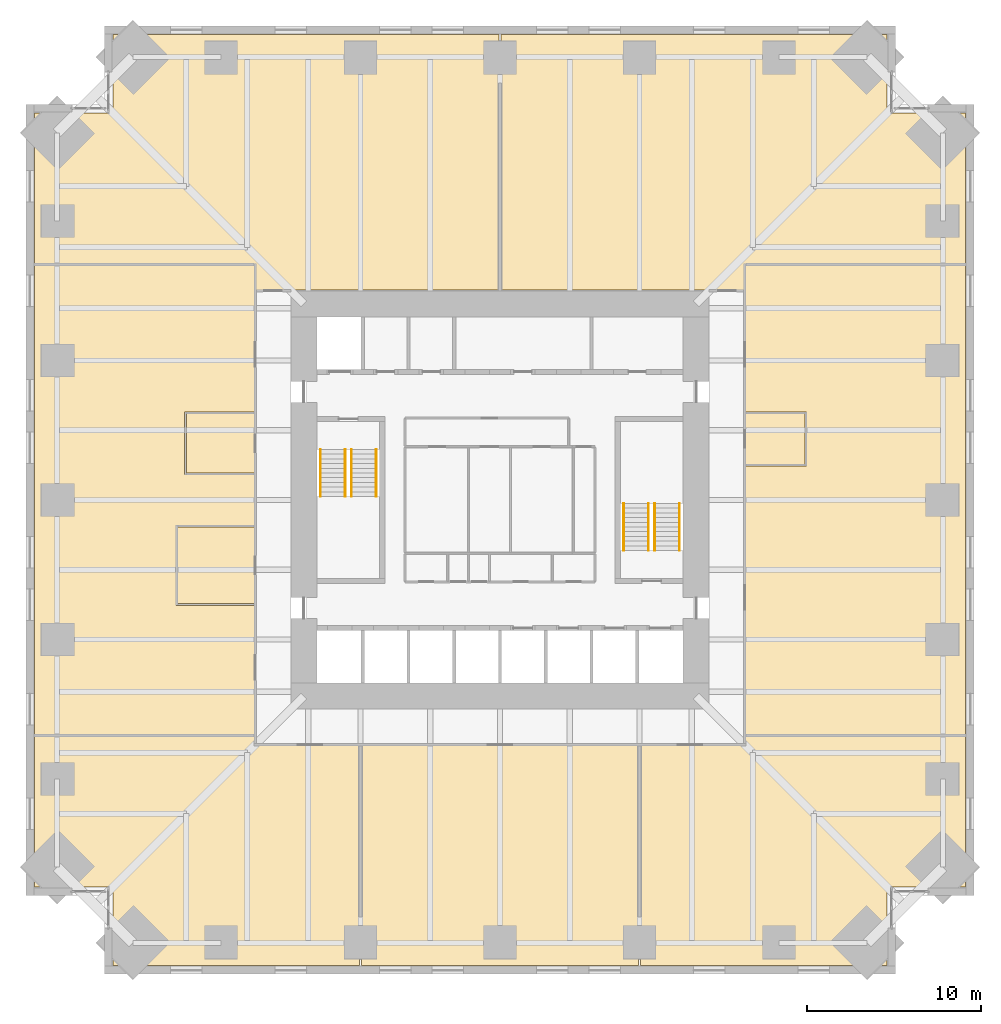
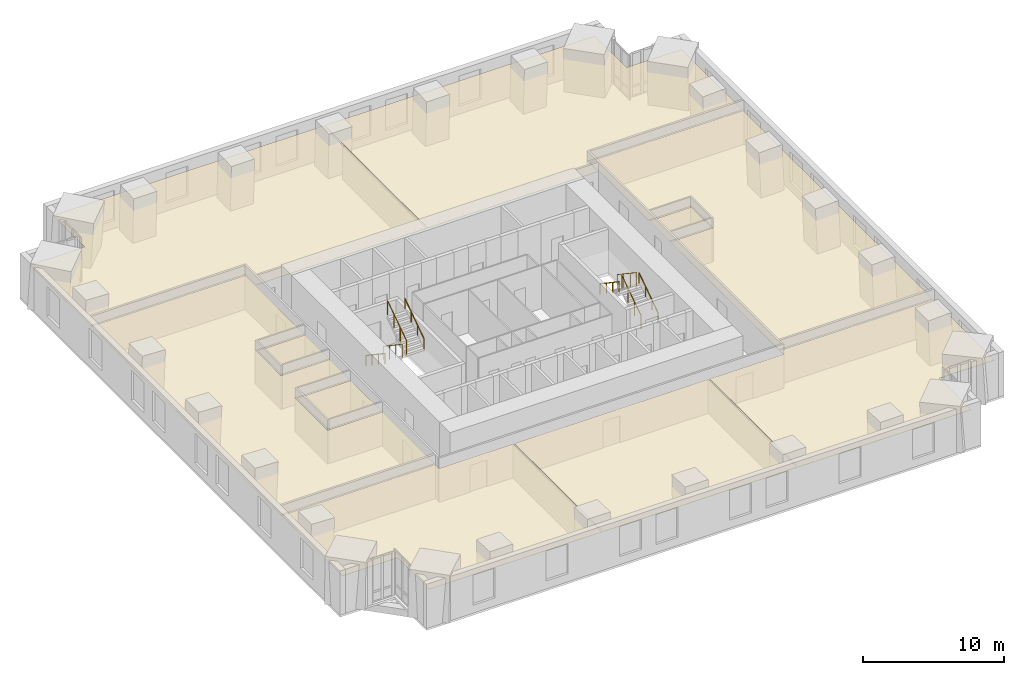
# One storey, part 16 of 16: 10 coverings, 8 railings.
"""IFC4 building model written with IfcOpenShell, lengths in metres."""

from ifc_helpers import new_model, si_unit, direction, frame, origin, origin_2d, place, context, subcontext, project, spatial, polyline, circle, outline, extrude, material, layer, layer_set, type_object, element, save


model = new_model("IFC4")

# Units and contexts
model_context = context("Model", 3, precision=1e-05, world=origin(), true_north=direction((0.0, 1.0)))
body_context = subcontext(model_context, "Body", "Model", "MODEL_VIEW")
ifc_project = project(units=[si_unit("LENGTHUNIT", "METRE"), si_unit("AREAUNIT", "SQUARE_METRE"), si_unit("VOLUMEUNIT", "CUBIC_METRE"), si_unit("PLANEANGLEUNIT", "RADIAN"), si_unit("MASSUNIT", "GRAM", prefix="KILO")], contexts=[model_context])

# Site, building, storey
site_placement = place(None, origin())
site = spatial("IfcSite", under=ifc_project, at=site_placement, CompositionType="ELEMENT")
building_placement = place(site_placement, origin())
building = spatial("IfcBuilding", under=site, at=building_placement, Name="Peilmerk Tower", CompositionType="ELEMENT")
storey_placement = place(building_placement, frame((0.0, 0.0, 135.800048828125)))
storey = spatial("IfcBuildingStorey", under=building, at=storey_placement, Name="L27", CompositionType="ELEMENT", Elevation=135.800048828125)

# Coverings
ifc_material_1 = material(Name="Mineral fibre ceiling tiles", Category="mineral")
ifc_layer = layer(ifc_material_1, 0.02490234375)
ifc_layer_set = layer_set([ifc_layer], Name="Mineral fibre ceiling tiles")
covering_type = type_object("IfcCoveringType", Name="CL1 25 suspended ceiling", PredefinedType="CEILING", material=ifc_layer_set)
covering_1_placement = place(storey_placement, frame((0.0, 0.0, 2.905029296875)))
element("IfcCovering", 1, at=covering_1_placement, inside=storey, type_object=covering_type, Name="Suspended ceiling Tenant suite", PredefinedType="CEILING", context=body_context, shape_type="SweptSolid", body=[
    extrude(outline(polyline([(-26.699951171875, 22.199951171875), (-26.699951171875, 13.550048828125), (-14.0, 13.550048828125), (-14.0, 12.050048828125), (-0.050048828125, 12.050048828125), (-0.050048828125, 26.699951171875), (-22.199951171875, 26.699951171875), (-22.199951171875, 22.199951171875), (-26.699951171875, 22.199951171875)])), origin(), (0.0, 0.0, 1.0), 0.02490234375),
])
covering_2_placement = place(storey_placement, frame((0.0, 0.0, 2.905029296875)))
element("IfcCovering", 2, at=covering_2_placement, inside=storey, type_object=covering_type, Name="Suspended ceiling Tenant suite", PredefinedType="CEILING", context=body_context, shape_type="SweptSolid", body=[
    extrude(outline(polyline([(22.199951171875, 26.699951171875), (0.050048828125, 26.699951171875), (0.050048828125, 12.050048828125), (14.0, 12.050048828125), (14.0, 13.550048828125), (26.699951171875, 13.550048828125), (26.699951171875, 22.199951171875), (22.199951171875, 22.199951171875), (22.199951171875, 26.699951171875)])), origin(), (0.0, 0.0, 1.0), 0.02490234375),
])
covering_3_placement = place(storey_placement, frame((0.0, 0.0, 2.905029296875)))
element("IfcCovering", 3, at=covering_3_placement, inside=storey, type_object=covering_type, Name="Suspended ceiling Tenant suite", PredefinedType="CEILING", context=body_context, shape_type="SweptSolid", body=[
    extrude(outline(polyline([(-22.199951171875, -26.699951171875), (-8.050048828125, -26.699951171875), (-8.050048828125, -14.10009765625), (-14.10009765625, -14.10009765625), (-14.10009765625, -13.550048828125), (-26.699951171875, -13.550048828125), (-26.699951171875, -22.199951171875), (-22.199951171875, -22.199951171875), (-22.199951171875, -26.699951171875)])), origin(), (0.0, 0.0, 1.0), 0.02490234375),
])
covering_4_placement = place(storey_placement, frame((0.0, 0.0, 2.905029296875)))
element("IfcCovering", 4, at=covering_4_placement, inside=storey, type_object=covering_type, Name="Suspended ceiling Client suite", PredefinedType="CEILING", context=body_context, shape_type="SweptSolid", body=[
    extrude(outline(polyline([(-7.949951171875, -26.699951171875), (7.949951171875, -26.699951171875), (7.949951171875, -14.10009765625), (-7.949951171875, -14.10009765625), (-7.949951171875, -26.699951171875)])), origin(), (0.0, 0.0, 1.0), 0.02490234375),
])
covering_5_placement = place(storey_placement, frame((0.0, 0.0, 2.905029296875)))
element("IfcCovering", 5, at=covering_5_placement, inside=storey, type_object=covering_type, Name="Suspended ceiling Tenant suite", PredefinedType="CEILING", context=body_context, shape_type="SweptSolid", body=[
    extrude(outline(polyline([(8.050048828125, -26.699951171875), (22.199951171875, -26.699951171875), (22.199951171875, -22.199951171875), (26.699951171875, -22.199951171875), (26.699951171875, -13.550048828125), (14.10009765625, -13.550048828125), (14.10009765625, -14.10009765625), (8.050048828125, -14.10009765625), (8.050048828125, -26.699951171875)])), origin(), (0.0, 0.0, 1.0), 0.02490234375),
])
covering_6_placement = place(storey_placement, frame((0.0, 0.0, 2.905029296875)))
element("IfcCovering", 6, at=covering_6_placement, inside=storey, type_object=covering_type, Name="Suspended ceiling Tenant suite", PredefinedType="CEILING", context=body_context, shape_type="SweptSolid", body=[
    extrude(outline(polyline([(14.10009765625, -13.449951171875), (26.699951171875, -13.449951171875), (26.699951171875, 13.449951171875), (14.10009765625, 13.449951171875), (14.10009765625, 5.050048828125), (17.60009765625, 5.050048828125), (17.60009765625, 1.949951171875), (14.10009765625, 1.949951171875), (14.10009765625, -13.449951171875)])), origin(), (0.0, 0.0, 1.0), 0.02490234375),
])
covering_7_placement = place(storey_placement, frame((0.0, 0.0, 2.905029296875)))
element("IfcCovering", 7, at=covering_7_placement, inside=storey, type_object=covering_type, Name="Suspended ceiling Focus room", PredefinedType="CEILING", context=body_context, shape_type="SweptSolid", body=[
    extrude(outline(polyline([(17.5, 2.050048828125), (17.5, 4.949951171875), (14.10009765625, 4.949951171875), (14.10009765625, 2.050048828125), (17.5, 2.050048828125)])), origin(), (0.0, 0.0, 1.0), 0.02490234375),
])
covering_8_placement = place(storey_placement, frame((0.0, 0.0, 2.905029296875)))
element("IfcCovering", 8, at=covering_8_placement, inside=storey, type_object=covering_type, Name="Suspended ceiling Tenant suite", PredefinedType="CEILING", context=body_context, shape_type="SweptSolid", body=[
    extrude(outline(polyline([(-14.10009765625, 13.449951171875), (-26.699951171875, 13.449951171875), (-26.699951171875, -13.449951171875), (-14.10009765625, -13.449951171875), (-14.10009765625, -6.050048828125), (-18.60009765625, -6.050048828125), (-18.60009765625, -1.449951171875), (-14.10009765625, -1.449951171875), (-14.10009765625, 1.449951171875), (-18.10009765625, 1.449951171875), (-18.10009765625, 5.050048828125), (-14.10009765625, 5.050048828125), (-14.10009765625, 13.449951171875)])), origin(), (0.0, 0.0, 1.0), 0.02490234375),
])
covering_9_placement = place(storey_placement, frame((0.0, 0.0, 2.905029296875)))
element("IfcCovering", 9, at=covering_9_placement, inside=storey, type_object=covering_type, Name="Suspended ceiling Meeting room", PredefinedType="CEILING", context=body_context, shape_type="SweptSolid", body=[
    extrude(outline(polyline([(-14.10009765625, -5.949951171875), (-14.10009765625, -1.550048828125), (-18.5, -1.550048828125), (-18.5, -5.949951171875), (-14.10009765625, -5.949951171875)])), origin(), (0.0, 0.0, 1.0), 0.02490234375),
])
covering_10_placement = place(storey_placement, frame((0.0, 0.0, 2.905029296875)))
element("IfcCovering", 10, at=covering_10_placement, inside=storey, type_object=covering_type, Name="Suspended ceiling Pantry", PredefinedType="CEILING", context=body_context, shape_type="SweptSolid", body=[
    extrude(outline(polyline([(-14.10009765625, 1.550048828125), (-14.10009765625, 4.949951171875), (-18.0, 4.949951171875), (-18.0, 1.550048828125), (-14.10009765625, 1.550048828125)])), origin(), (0.0, 0.0, 1.0), 0.02490234375),
])

# Railings
ifc_material_2 = material(Name="Steel flat bar balustrade", Category="steel")
railing_type_1 = type_object("IfcRailingType", Name="GR1 1200 stair guard", PredefinedType="GUARDRAIL", material=ifc_material_2)
railing_1_placement = place(storey_placement, frame((-8.8798828125, 2.89990234375, 0.181884765625)))
element("IfcRailing", 11, at=railing_1_placement, inside=storey, type_object=railing_type_1, Name="Guard stair 1 L27", PredefinedType="GUARDRAIL", context=body_context, shape_type="SweptSolid", body=[
    extrude(circle(Radius=0.02392578125, at=origin_2d()), frame((0.0, 0.0, 1.17578125), z_axis=(0.0, -0.829468130872, 0.55855404382), x_axis=(1.0, 0.0, 0.0)), (0.0, 0.0, 1.0), 3.255126953125),
    extrude(circle(Radius=0.02099609375, at=origin_2d()), origin(), (0.0, 0.0, 1.0), 1.15185546875),
    extrude(circle(Radius=0.02099609375, at=origin_2d()), frame((0.0, -0.89990234375, 0.60595703125)), (0.0, 0.0, 1.0), 1.15185546875),
    extrude(circle(Radius=0.02099609375, at=origin_2d()), frame((0.0, -1.800048828125, 1.212158203125)), (0.0, 0.0, 1.0), 1.15185546875),
    extrude(circle(Radius=0.02099609375, at=origin_2d()), frame((0.0, -2.699951171875, 1.818115234375)), (0.0, 0.0, 1.0), 1.15185546875),
])
for number, where, name in (
    (12, (-8.52001953125, 0.199951171875, 2.181884765625), "Guard stair 1 L27"),
    (13, (8.8798828125, -2.89990234375, 0.181884765625), "Guard stair 2 L27"),
):
    element("IfcRailing", number, at=place(storey_placement, frame(where)), inside=storey, type_object=railing_type_1, Name=name, PredefinedType="GUARDRAIL", context=body_context, shape_type="SweptSolid", body=[
        extrude(circle(Radius=0.02392578125, at=origin_2d()), frame((0.0, 0.0, 1.17578125), z_axis=(0.0, 0.829468130872, 0.55855404382), x_axis=(-1.0, 0.0, 0.0)), (0.0, 0.0, 1.0), 3.255126953125),
        extrude(circle(Radius=0.02099609375, at=origin_2d()), origin(), (0.0, 0.0, 1.0), 1.15185546875),
        extrude(circle(Radius=0.02099609375, at=origin_2d()), frame((0.0, 0.89990234375, 0.60595703125)), (0.0, 0.0, 1.0), 1.15185546875),
        extrude(circle(Radius=0.02099609375, at=origin_2d()), frame((0.0, 1.800048828125, 1.212158203125)), (0.0, 0.0, 1.0), 1.15185546875),
        extrude(circle(Radius=0.02099609375, at=origin_2d()), frame((0.0, 2.699951171875, 1.818115234375)), (0.0, 0.0, 1.0), 1.15185546875),
    ])
railing_2_placement = place(storey_placement, frame((8.52001953125, -0.199951171875, 2.181884765625)))
element("IfcRailing", 14, at=railing_2_placement, inside=storey, type_object=railing_type_1, Name="Guard stair 2 L27", PredefinedType="GUARDRAIL", context=body_context, shape_type="SweptSolid", body=[
    extrude(circle(Radius=0.02392578125, at=origin_2d()), frame((0.0, 0.0, 1.17578125), z_axis=(0.0, -0.829468130872, 0.55855404382), x_axis=(1.0, 0.0, 0.0)), (0.0, 0.0, 1.0), 3.255126953125),
    extrude(circle(Radius=0.02099609375, at=origin_2d()), origin(), (0.0, 0.0, 1.0), 1.15185546875),
    extrude(circle(Radius=0.02099609375, at=origin_2d()), frame((0.0, -0.89990234375, 0.60595703125)), (0.0, 0.0, 1.0), 1.15185546875),
    extrude(circle(Radius=0.02099609375, at=origin_2d()), frame((0.0, -1.800048828125, 1.212158203125)), (0.0, 0.0, 1.0), 1.15185546875),
    extrude(circle(Radius=0.02099609375, at=origin_2d()), frame((0.0, -2.699951171875, 1.818115234375)), (0.0, 0.0, 1.0), 1.15185546875),
])
ifc_material_3 = material(Name="Stainless steel tube", Category="steel")
railing_type_2 = type_object("IfcRailingType", Name="HR1 900 stair handrail", PredefinedType="HANDRAIL", material=ifc_material_3)
railing_3_placement = place(storey_placement, frame((-10.300048828125, 2.89990234375, 0.181884765625)))
element("IfcRailing", 15, at=railing_3_placement, inside=storey, type_object=railing_type_2, Name="Handrail stair 1 L27", PredefinedType="HANDRAIL", context=body_context, shape_type="SweptSolid", body=[
    extrude(circle(Radius=0.02392578125, at=origin_2d()), frame((0.0, 0.0, 0.8759765625), z_axis=(0.0, -0.829468130872, 0.55855404382), x_axis=(1.0, 0.0, 0.0)), (0.0, 0.0, 1.0), 3.255126953125),
    extrude(circle(Radius=0.02099609375, at=origin_2d()), origin(), (0.0, 0.0, 1.0), 0.851806640625),
    extrude(circle(Radius=0.02099609375, at=origin_2d()), frame((0.0, -0.89990234375, 0.60595703125)), (0.0, 0.0, 1.0), 0.851806640625),
    extrude(circle(Radius=0.02099609375, at=origin_2d()), frame((0.0, -1.800048828125, 1.212158203125)), (0.0, 0.0, 1.0), 0.851806640625),
    extrude(circle(Radius=0.02099609375, at=origin_2d()), frame((0.0, -2.699951171875, 1.818115234375)), (0.0, 0.0, 1.0), 0.851806640625),
])
for number, where, name in (
    (16, (-7.10009765625, 0.199951171875, 2.181884765625), "Handrail stair 1 L27"),
    (17, (10.300048828125, -2.89990234375, 0.181884765625), "Handrail stair 2 L27"),
):
    element("IfcRailing", number, at=place(storey_placement, frame(where)), inside=storey, type_object=railing_type_2, Name=name, PredefinedType="HANDRAIL", context=body_context, shape_type="SweptSolid", body=[
        extrude(circle(Radius=0.02392578125, at=origin_2d()), frame((0.0, 0.0, 0.8759765625), z_axis=(0.0, 0.829468130872, 0.55855404382), x_axis=(-1.0, 0.0, 0.0)), (0.0, 0.0, 1.0), 3.255126953125),
        extrude(circle(Radius=0.02099609375, at=origin_2d()), origin(), (0.0, 0.0, 1.0), 0.851806640625),
        extrude(circle(Radius=0.02099609375, at=origin_2d()), frame((0.0, 0.89990234375, 0.60595703125)), (0.0, 0.0, 1.0), 0.851806640625),
        extrude(circle(Radius=0.02099609375, at=origin_2d()), frame((0.0, 1.800048828125, 1.212158203125)), (0.0, 0.0, 1.0), 0.851806640625),
        extrude(circle(Radius=0.02099609375, at=origin_2d()), frame((0.0, 2.699951171875, 1.818115234375)), (0.0, 0.0, 1.0), 0.851806640625),
    ])
railing_4_placement = place(storey_placement, frame((7.10009765625, -0.199951171875, 2.181884765625)))
element("IfcRailing", 18, at=railing_4_placement, inside=storey, type_object=railing_type_2, Name="Handrail stair 2 L27", PredefinedType="HANDRAIL", context=body_context, shape_type="SweptSolid", body=[
    extrude(circle(Radius=0.02392578125, at=origin_2d()), frame((0.0, 0.0, 0.8759765625), z_axis=(0.0, -0.829468130872, 0.55855404382), x_axis=(1.0, 0.0, 0.0)), (0.0, 0.0, 1.0), 3.255126953125),
    extrude(circle(Radius=0.02099609375, at=origin_2d()), origin(), (0.0, 0.0, 1.0), 0.851806640625),
    extrude(circle(Radius=0.02099609375, at=origin_2d()), frame((0.0, -0.89990234375, 0.60595703125)), (0.0, 0.0, 1.0), 0.851806640625),
    extrude(circle(Radius=0.02099609375, at=origin_2d()), frame((0.0, -1.800048828125, 1.212158203125)), (0.0, 0.0, 1.0), 0.851806640625),
    extrude(circle(Radius=0.02099609375, at=origin_2d()), frame((0.0, -2.699951171875, 1.818115234375)), (0.0, 0.0, 1.0), 0.851806640625),
])

save(model, "model.ifc")
